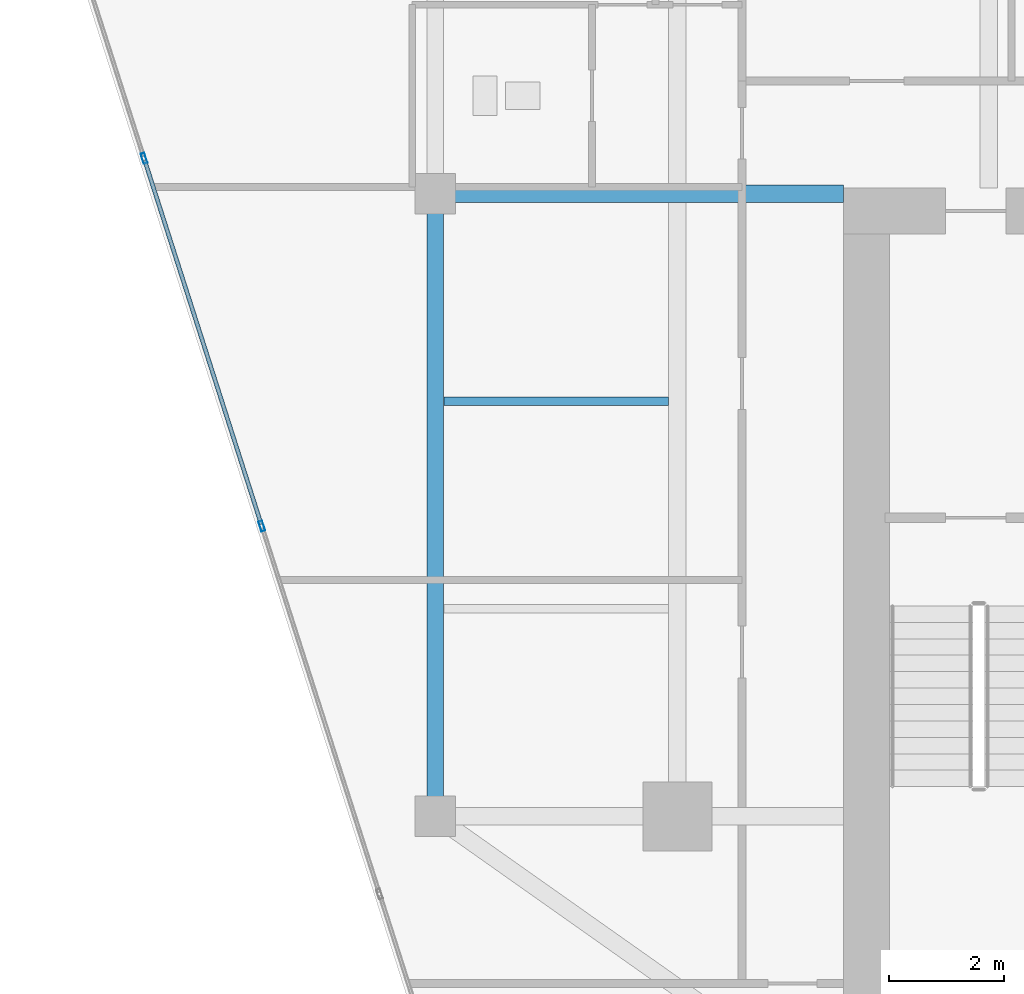
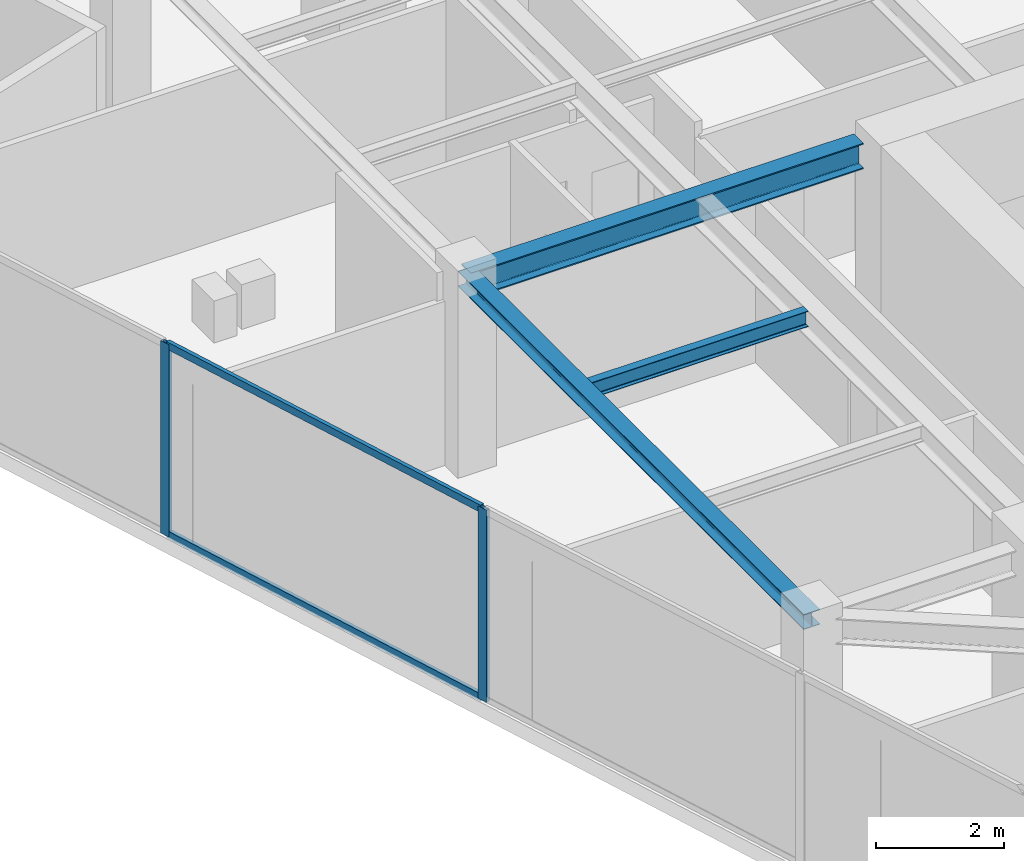
# One storey, part 5 of 21: 4 members, 3 beams, 1 element without a shape of its own.
"""IFC4 building model written with IfcOpenShell, lengths in metres."""

from ifc_helpers import new_model, si_unit, direction, frame, origin, origin_2d, place, context, subcontext, project, spatial, hollow_rectangle, i_section, extrude, source, transform, mapped, material, material_profile, profile_set, type_object, type_shapes, element, aggregate, save


model = new_model("IFC4")

# Units and contexts
model_context = context("Model", 3, precision=1e-05, world=origin(), true_north=direction((0.0, 1.0)))
body_context = subcontext(model_context, "Body", "Model", "MODEL_VIEW")
ifc_project = project(units=[si_unit("LENGTHUNIT", "METRE"), si_unit("AREAUNIT", "SQUARE_METRE"), si_unit("VOLUMEUNIT", "CUBIC_METRE"), si_unit("PLANEANGLEUNIT", "RADIAN"), si_unit("MASSUNIT", "GRAM", prefix="KILO")], contexts=[model_context])

# Site, building, storey
site_placement = place(None, origin())
site = spatial("IfcSite", under=ifc_project, at=site_placement, CompositionType="ELEMENT")
building_placement = place(site_placement, origin())
building = spatial("IfcBuilding", under=site, at=building_placement, Name="Krantzveldt Concourse Tower", CompositionType="ELEMENT")
storey_placement = place(building_placement, frame((0.0, 0.0, 343.5)))
storey = spatial("IfcBuildingStorey", under=building, at=storey_placement, Name="L84", CompositionType="ELEMENT", Elevation=343.5)

# Beams
ifc_material_1 = material(Name="Steel S355JR", Category="steel")
ifc_material_profile_1 = material_profile(ifc_material_1, i_section(OverallWidth=0.300048828125, OverallDepth=0.489990234375, WebThickness=0.011962890625, FlangeThickness=0.02294921875, FilletRadius=0.027099609375, at=origin_2d()), Name="Steel S355JR", Category="steel")
ifc_profile_set_1 = profile_set([ifc_material_profile_1], Name="Steel S355JR - HEA 500")
beam_type_1 = type_object("IfcBeamType", Name="BM-B-HEA500", PredefinedType="BEAM", material=ifc_profile_set_1)
shared_shape_1 = source(origin(), body_context, "Body", "SweptSolid", [
    extrude(i_section(OverallWidth=0.300048828125, OverallDepth=0.489990234375, WebThickness=0.011962890625, FlangeThickness=0.02294921875, FilletRadius=0.027099609375, at=origin_2d()), origin(), (0.0, 0.0, 1.0), 7.080078125),
])
type_shapes(beam_type_1, [shared_shape_1])
beam_1_placement = place(storey_placement, frame((21.0, 26.699951171875, 3.425048828125), z_axis=(1.0, 0.0, 0.0), x_axis=(0.0, 1.0, 0.0)))
element("IfcBeam", 1, at=beam_1_placement, inside=storey, type_object=beam_type_1, Name="L84 Tower Girder BG-CW2", PredefinedType="BEAM", context=body_context, shape_type="MappedRepresentation", body=[
    mapped(shared_shape_1, transform((0.0, 0.0, 0.0), x_axis=(1.0, 0.0, 0.0), y_axis=(0.0, 1.0, 0.0), z_axis=(0.0, 0.0, 1.0), scale=1.0)),
])
ifc_material_profile_2 = material_profile(ifc_material_1, i_section(OverallWidth=0.2900390625, OverallDepth=0.2900390625, WebThickness=0.008544921875, FlangeThickness=0.013916015625, FilletRadius=0.027099609375, at=origin_2d()), Name="Steel S355JR", Category="steel")
ifc_profile_set_2 = profile_set([ifc_material_profile_2], Name="Steel S355JR - HEA 300")
beam_type_2 = type_object("IfcBeamType", Name="BM-SP-HEA300", PredefinedType="SPANDREL", material=ifc_profile_set_2)
shared_shape_2 = source(origin(), body_context, "Body", "SweptSolid", [
    extrude(i_section(OverallWidth=0.2900390625, OverallDepth=0.2900390625, WebThickness=0.008544921875, FlangeThickness=0.013916015625, FilletRadius=0.027099609375, at=origin_2d()), origin(), (0.0, 0.0, 1.0), 10.800048828125),
])
type_shapes(beam_type_2, [shared_shape_2])
beam_2_placement = place(storey_placement, frame((21.0, 15.89990234375, 3.52490234375), z_axis=(0.0, 1.0, 0.0), x_axis=(-1.0, 0.0, 0.0)))
element("IfcBeam", 2, at=beam_2_placement, inside=storey, type_object=beam_type_2, Name="L84 Tower Girder SP-R01", PredefinedType="SPANDREL", context=body_context, shape_type="MappedRepresentation", body=[
    mapped(shared_shape_2, transform((0.0, 0.0, 0.0), x_axis=(1.0, 0.0, 0.0), y_axis=(0.0, 1.0, 0.0), z_axis=(0.0, 0.0, 1.0), scale=1.0)),
])
ifc_material_profile_3 = material_profile(ifc_material_1, i_section(OverallWidth=0.14990234375, OverallDepth=0.300048828125, WebThickness=0.007080078125, FlangeThickness=0.0107421875, FilletRadius=0.014892578125, at=origin_2d()), Name="Steel S355JR", Category="steel")
ifc_profile_set_3 = profile_set([ifc_material_profile_3], Name="Steel S355JR - IPE 300")
beam_type_3 = type_object("IfcBeamType", Name="BM-J-IPE300", PredefinedType="JOIST", material=ifc_profile_set_3)
shared_shape_3 = source(origin(), body_context, "Body", "SweptSolid", [
    extrude(i_section(OverallWidth=0.14990234375, OverallDepth=0.300048828125, WebThickness=0.007080078125, FlangeThickness=0.0107421875, FilletRadius=0.014892578125, at=origin_2d()), origin(), (0.0, 0.0, 1.0), 3.900146484375),
])
type_shapes(beam_type_3, [shared_shape_3])
beam_3_placement = place(storey_placement, frame((21.14990234375, 23.10009765625, 3.52001953125), z_axis=(1.0, 0.0, 0.0), x_axis=(0.0, 1.0, 0.0)))
element("IfcBeam", 3, at=beam_3_placement, inside=storey, type_object=beam_type_3, Name="L84 Secondary Floor Joist JW-2", PredefinedType="JOIST", context=body_context, shape_type="MappedRepresentation", body=[
    mapped(shared_shape_3, transform((0.0, 0.0, 0.0), x_axis=(1.0, 0.0, 0.0), y_axis=(0.0, 1.0, 0.0), z_axis=(0.0, 0.0, 1.0), scale=1.0)),
])

# Curtain wall, members
ifc_material_2 = material(Name="Anodised aluminium 6063-T6", Category="aluminium")
curtain_wall_type = type_object("IfcCurtainWallType", Name="CW4", PredefinedType="USERDEFINED", material=ifc_material_2)
curtain_wall_placement = place(storey_placement, origin())
curtain_wall = element("IfcCurtainWall", 4, at=curtain_wall_placement, inside=storey, type_object=curtain_wall_type, Name="CW-L84-F04", ObjectType="UNITISED CURTAIN WALL", PredefinedType="USERDEFINED")
ifc_material_profile_4 = material_profile(ifc_material_2, hollow_rectangle(XDim=0.070068359375, YDim=0.179931640625, WallThickness=0.0048828125, at=origin_2d()), Name="Anodised aluminium 6063-T6", Category="aluminium")
ifc_profile_set_4 = profile_set([ifc_material_profile_4], Name="Anodised aluminium 6063-T6 - ALU-MULL 180x70x5")
member_type_1 = type_object("IfcMemberType", Name="CW-MUL-180", PredefinedType="MULLION", material=ifc_profile_set_4)
shared_shape_4 = source(origin(), body_context, "Body", "SweptSolid", [
    extrude(hollow_rectangle(XDim=0.070068359375, YDim=0.179931640625, WallThickness=0.0048828125, at=origin_2d()), origin(), (0.0, 0.0, 1.0), 3.669921875),
])
type_shapes(member_type_1, [shared_shape_4])
member_1_placement = place(storey_placement, frame((15.947509765625, 27.316162109375, 0.0), z_axis=(0.0, 0.0, 1.0), x_axis=(0.952395843376, 0.304864162408, 0.0)))
member_1 = element("IfcMember", 5, at=member_1_placement, type_object=member_type_1, Name="CW-Z56 mullion 2", PredefinedType="MULLION", context=body_context, shape_type="MappedRepresentation", body=[
    mapped(shared_shape_4, transform((0.0, 0.0, 0.0), x_axis=(1.0, 0.0, 0.0), y_axis=(0.0, 1.0, 0.0), z_axis=(0.0, 0.0, 1.0), scale=1.0)),
])
member_2_placement = place(storey_placement, frame((17.990234375, 20.93505859375, 0.0), z_axis=(0.0, 0.0, 1.0), x_axis=(0.952395843376, 0.304864162408, 0.0)))
member_2 = element("IfcMember", 6, at=member_2_placement, type_object=member_type_1, Name="CW-Z56 mullion 3", PredefinedType="MULLION", context=body_context, shape_type="MappedRepresentation", body=[
    mapped(shared_shape_4, transform((0.0, 0.0, 0.0), x_axis=(1.0, 0.0, 0.0), y_axis=(0.0, 1.0, 0.0), z_axis=(0.0, 0.0, 1.0), scale=1.0)),
])
ifc_material_profile_5 = material_profile(ifc_material_2, hollow_rectangle(XDim=0.070068359375, YDim=0.139892578125, WallThickness=0.0048828125, at=origin_2d()), Name="Anodised aluminium 6063-T6", Category="aluminium")
ifc_profile_set_5 = profile_set([ifc_material_profile_5], Name="Anodised aluminium 6063-T6 - ALU-TRAN 140x70x5")
member_type_2 = type_object("IfcMemberType", Name="CW-TRN-150", PredefinedType="USERDEFINED", material=ifc_profile_set_5)
shared_shape_5 = source(origin(), body_context, "Body", "SweptSolid", [
    extrude(hollow_rectangle(XDim=0.070068359375, YDim=0.139892578125, WallThickness=0.0048828125, at=origin_2d()), origin(), (0.0, 0.0, 1.0), 6.630126953125),
])
type_shapes(member_type_2, [shared_shape_5])
member_3_placement = place(storey_placement, frame((15.958251953125, 27.28271484375, 0.034912109375), z_axis=(0.304859901036, -0.95239720744, 0.0), x_axis=(0.95239720744, 0.304859901036, 0.0)))
member_3 = element("IfcMember", 7, at=member_3_placement, type_object=member_type_2, Name="CW-Z56 transom 2.1", ObjectType="TRANSOM", PredefinedType="USERDEFINED", context=body_context, shape_type="MappedRepresentation", body=[
    mapped(shared_shape_5, transform((0.0, 0.0, 0.0), x_axis=(1.0, 0.0, 0.0), y_axis=(0.0, 1.0, 0.0), z_axis=(0.0, 0.0, 1.0), scale=1.0)),
])
member_4_placement = place(storey_placement, frame((15.958251953125, 27.28271484375, 3.635009765625), z_axis=(0.304859901036, -0.95239720744, 0.0), x_axis=(0.95239720744, 0.304859901036, 0.0)))
member_4 = element("IfcMember", 8, at=member_4_placement, type_object=member_type_2, Name="CW-Z56 transom 2.2", ObjectType="TRANSOM", PredefinedType="USERDEFINED", context=body_context, shape_type="MappedRepresentation", body=[
    mapped(shared_shape_5, transform((0.0, 0.0, 0.0), x_axis=(1.0, 0.0, 0.0), y_axis=(0.0, 1.0, 0.0), z_axis=(0.0, 0.0, 1.0), scale=1.0)),
])
aggregate(curtain_wall, [member_1, member_2, member_3, member_4])

save(model, "model.ifc")
